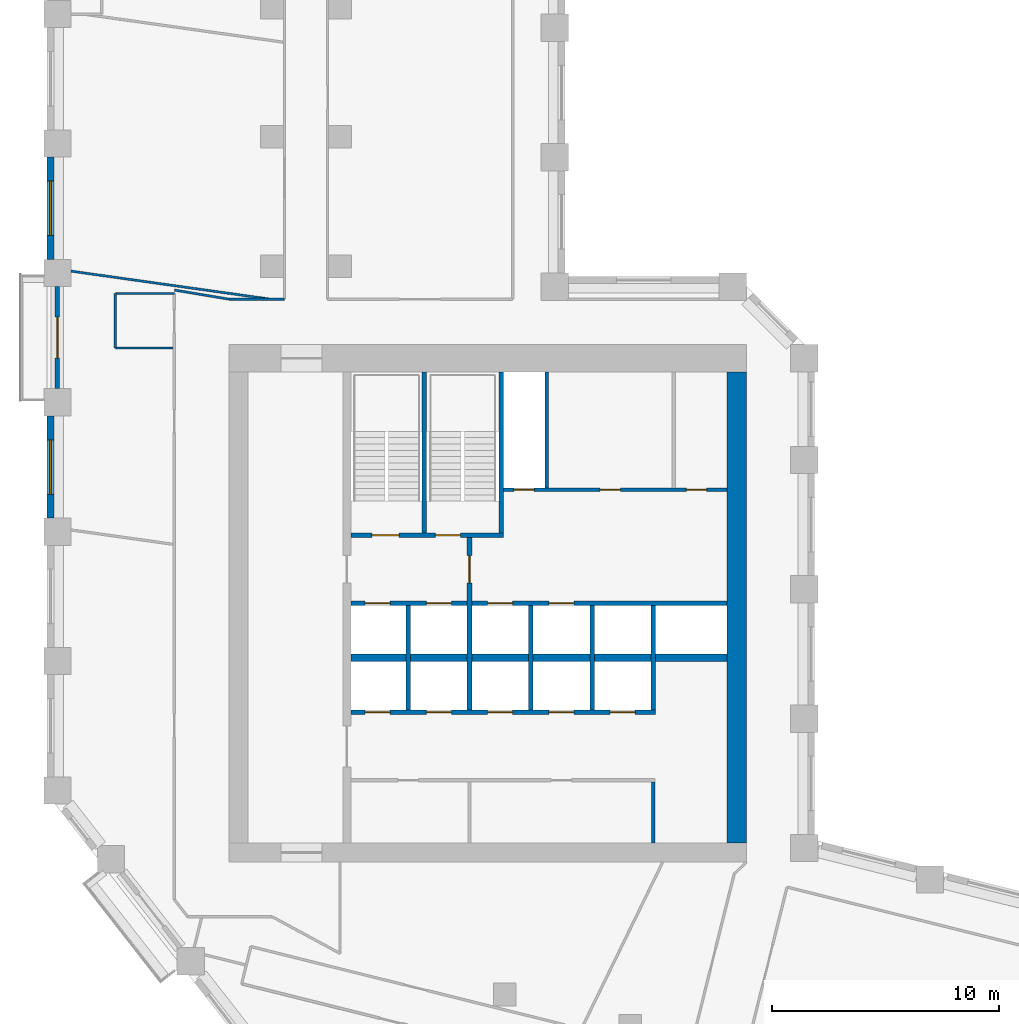
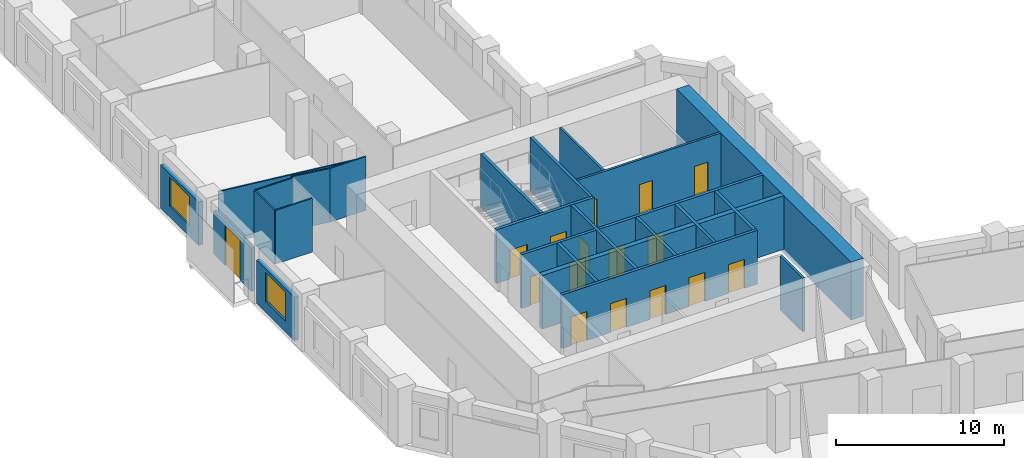
# One storey, part 5 of 10: 24 walls, 16 doors, 2 windows, 18 openings.
"""IFC4 building model written with IfcOpenShell, lengths in metres."""

from ifc_helpers import new_model, si_unit, direction, frame, frame_2d, origin, place, context, subcontext, project, spatial, rectangle, extrude, material, layer, layer_set, type_object, element, fill, save


model = new_model("IFC4")

# Units and contexts
model_context = context("Model", 3, precision=1e-05, world=origin(), true_north=direction((0.0, 1.0)))
body_context = subcontext(model_context, "Body", "Model", "MODEL_VIEW")
ifc_project = project(units=[si_unit("LENGTHUNIT", "METRE"), si_unit("AREAUNIT", "SQUARE_METRE"), si_unit("VOLUMEUNIT", "CUBIC_METRE"), si_unit("PLANEANGLEUNIT", "RADIAN"), si_unit("MASSUNIT", "GRAM", prefix="KILO")], contexts=[model_context])

# Site, building, storey
site_placement = place(None, origin())
site = spatial("IfcSite", under=ifc_project, at=site_placement, CompositionType="ELEMENT")
building_placement = place(site_placement, origin())
building = spatial("IfcBuilding", under=site, at=building_placement, Name="Meshkara Civic Tower", CompositionType="ELEMENT")
storey_placement = place(building_placement, frame((0.0, 0.0, 190.800048828125)))
storey = spatial("IfcBuildingStorey", under=building, at=storey_placement, Name="L43", CompositionType="ELEMENT", Elevation=190.800048828125)

# Wall, openings, doors
ifc_material_1 = material(Name="Blockwork", Category="masonry")
ifc_layer_1 = layer(ifc_material_1, 0.14990234375)
ifc_layer_set_1 = layer_set([ifc_layer_1], Name="Core partition 150")
wall_type_1 = type_object("IfcWallType", Name="Core partition 150", PredefinedType="PARTITIONING", material=ifc_layer_set_1)
wall_1_placement = place(storey_placement, frame((20.10009765625, 30.5, 0.0), z_axis=(0.0, 0.0, 1.0), x_axis=(1.0, 0.0, 0.0)))
wall_1 = element("IfcWall", 1, at=wall_1_placement, inside=storey, type_object=wall_type_1, Name="L43-C010", PredefinedType="PARTITIONING", context=body_context, shape_type="SweptSolid", body=[
    extrude(rectangle(XDim=9.849853515625, YDim=0.14990234375, at=frame_2d((4.9248046875, 0.0))), origin(), (0.0, 0.0, 1.0), 3.89990234375),
])
opening_1_placement = place(wall_1_placement, frame((0.449951171875, 0.0, 0.0)))
opening_1 = element("IfcOpeningElement", 2, at=opening_1_placement, cuts=wall_1, Name="Opening L43-K012", PredefinedType="OPENING", context=body_context, shape_type="SweptSolid", body=[
    extrude(rectangle(XDim=0.89990234375, YDim=2.10009765625, at=frame_2d((0.449951171875, 1.050048828125))), frame((0.0, 0.0849609375, 0.0), z_axis=(0.0, -1.0, 0.0), x_axis=(1.0, 0.0, 0.0)), (0.0, 0.0, 1.0), 0.169921875),
])
opening_2_placement = place(wall_1_placement, frame((4.25, 0.0, 0.0)))
opening_2 = element("IfcOpeningElement", 3, at=opening_2_placement, cuts=wall_1, Name="Opening L43-K013", PredefinedType="OPENING", context=body_context, shape_type="SweptSolid", body=[
    extrude(rectangle(XDim=0.89990234375, YDim=2.10009765625, at=frame_2d((0.449951171875, 1.050048828125))), frame((0.0, 0.0849609375, 0.0), z_axis=(0.0, -1.0, 0.0), x_axis=(1.0, 0.0, 0.0)), (0.0, 0.0, 1.0), 0.169921875),
])
opening_3_placement = place(wall_1_placement, frame((8.050048828125, 0.0, 0.0)))
opening_3 = element("IfcOpeningElement", 4, at=opening_3_placement, cuts=wall_1, Name="Opening L43-K014", PredefinedType="OPENING", context=body_context, shape_type="SweptSolid", body=[
    extrude(rectangle(XDim=0.89990234375, YDim=2.10009765625, at=frame_2d((0.449951171875, 1.050048828125))), frame((0.0, 0.0849609375, 0.0), z_axis=(0.0, -1.0, 0.0), x_axis=(1.0, 0.0, 0.0)), (0.0, 0.0, 1.0), 0.169921875),
])
ifc_material_2 = material(Name="Timber door leaf in steel frame", Category="steel")
door_type_1 = type_object("IfcDoorType", Name="Core room door 900", OperationType="SINGLE_SWING_LEFT", PredefinedType="DOOR", material=ifc_material_2)
door_1_placement = place(opening_2_placement, origin())
door_1 = element("IfcDoor", 5, at=door_1_placement, inside=storey, type_object=door_type_1, Name="L43-K013", OperationType="SINGLE_SWING_RIGHT", OverallHeight=2.10009765625, OverallWidth=0.89990234375, PredefinedType="DOOR", context=body_context, shape_type="SweptSolid", body=[
    extrude(rectangle(XDim=0.89990234375, YDim=2.10009765625, at=frame_2d((0.449951171875, 1.050048828125))), frame((0.0, 0.02490234375, 0.0), z_axis=(0.0, -1.0, 0.0), x_axis=(1.0, 0.0, 0.0)), (0.0, 0.0, 1.0), 0.050048828125),
])
fill(opening_2, door_1)
door_2_placement = place(opening_3_placement, origin())
door_2 = element("IfcDoor", 6, at=door_2_placement, inside=storey, type_object=door_type_1, Name="L43-K014", OperationType="SINGLE_SWING_RIGHT", OverallHeight=2.10009765625, OverallWidth=0.89990234375, PredefinedType="DOOR", context=body_context, shape_type="SweptSolid", body=[
    extrude(rectangle(XDim=0.89990234375, YDim=2.10009765625, at=frame_2d((0.449951171875, 1.050048828125))), frame((0.0, 0.02490234375, 0.0), z_axis=(0.0, -1.0, 0.0), x_axis=(1.0, 0.0, 0.0)), (0.0, 0.0, 1.0), 0.050048828125),
])
fill(opening_3, door_2)
ifc_material_3 = material(Name="Fire-rated door leaf in steel frame", Category="steel")
door_type_2 = type_object("IfcDoorType", Name="Riser door 900", OperationType="SINGLE_SWING_LEFT", PredefinedType="DOOR", material=ifc_material_3)
door_3_placement = place(opening_1_placement, origin())
door_3 = element("IfcDoor", 7, at=door_3_placement, inside=storey, type_object=door_type_2, Name="L43-K012", OperationType="SINGLE_SWING_RIGHT", OverallHeight=2.10009765625, OverallWidth=0.89990234375, PredefinedType="DOOR", context=body_context, shape_type="SweptSolid", body=[
    extrude(rectangle(XDim=0.89990234375, YDim=2.10009765625, at=frame_2d((0.449951171875, 1.050048828125))), frame((0.0, 0.02490234375, 0.0), z_axis=(0.0, -1.0, 0.0), x_axis=(1.0, 0.0, 0.0)), (0.0, 0.0, 1.0), 0.050048828125),
])
fill(opening_1, door_3)

# Walls
wall_2_placement = place(storey_placement, frame((22.0, 30.574951171875, 0.0), z_axis=(0.0, 0.0, 1.0), x_axis=(0.0, 1.0, 0.0)))
element("IfcWall", 8, at=wall_2_placement, inside=storey, type_object=wall_type_1, Name="L43-C018", PredefinedType="PARTITIONING", context=body_context, shape_type="SweptSolid", body=[
    extrude(rectangle(XDim=5.125, YDim=0.14990234375, at=frame_2d((2.5625, 0.0))), origin(), (0.0, 0.0, 1.0), 3.89990234375),
])
wall_3_placement = place(storey_placement, frame((26.699951171875, 14.949951171875, 0.0), z_axis=(0.0, 0.0, 1.0), x_axis=(0.0, 1.0, 0.0)))
element("IfcWall", 9, at=wall_3_placement, inside=storey, type_object=wall_type_1, Name="L43-C020", PredefinedType="PARTITIONING", context=body_context, shape_type="SweptSolid", body=[
    extrude(rectangle(XDim=2.675048828125, YDim=0.14990234375, at=frame_2d((1.33740234375, 0.0))), origin(), (0.0, 0.0, 1.0), 3.89990234375),
])
ifc_material_4 = material(Name="Concrete C70", Category="concrete")
ifc_layer_2 = layer(ifc_material_4, 0.85009765625)
ifc_layer_set_2 = layer_set([ifc_layer_2], Name="Core ring wall 850 C70")
wall_type_2 = type_object("IfcWallType", Name="Core ring wall 850 C70", PredefinedType="SHEAR", material=ifc_layer_set_2)
wall_4_placement = place(storey_placement, frame((30.375, 14.949951171875, -0.300048828125), z_axis=(0.0, 0.0, 1.0), x_axis=(0.0, 1.0, 0.0)))
element("IfcWall", 10, at=wall_4_placement, inside=storey, type_object=wall_type_2, Name="L43-C004", PredefinedType="SHEAR", context=body_context, shape_type="SweptSolid", body=[
    extrude(rectangle(XDim=20.75, YDim=0.85009765625, at=frame_2d((10.375, 0.0))), origin(), (0.0, 0.0, 1.0), 4.199951171875),
])
ifc_material_5 = material(Name="Concrete C70", Category="concrete")
ifc_layer_3 = layer(ifc_material_5, 0.340087890625)
ifc_layer_set_3 = layer_set([ifc_layer_3], Name="Core shear wall 340 C70")
wall_type_3 = type_object("IfcWallType", Name="Core shear wall 340 C70", PredefinedType="SHEAR", material=ifc_layer_set_3)
wall_5_placement = place(storey_placement, frame((13.3701171875, 23.10009765625, 0.0), z_axis=(0.0, 0.0, 1.0), x_axis=(1.0, 0.0, 0.0)))
element("IfcWall", 11, at=wall_5_placement, inside=storey, type_object=wall_type_3, Name="L43-C007", PredefinedType="SHEAR", context=body_context, shape_type="SweptSolid", body=[
    extrude(rectangle(XDim=16.579833984375, YDim=0.340087890625, at=frame_2d((8.2900390625, 0.0))), origin(), (0.0, 0.0, 1.0), 3.89990234375),
])
ifc_material_6 = material(Name="Corridor wall 100")
ifc_layer_4 = layer(ifc_material_6, 0.10009765625)
ifc_layer_set_4 = layer_set([ifc_layer_4], Name="Corridor wall 100")
wall_type_4 = type_object("IfcWallType", Name="Corridor wall 100", PredefinedType="PARTITIONING", material=ifc_layer_set_4)
wall_6_placement = place(storey_placement, frame((8.0, 38.89990234375, 0.0), z_axis=(0.0, 0.0, 1.0), x_axis=(1.0, 0.0, 0.0)))
element("IfcWall", 12, at=wall_6_placement, inside=storey, type_object=wall_type_4, Name="L43-W007", PredefinedType="PARTITIONING", context=body_context, shape_type="SweptSolid", body=[
    extrude(rectangle(XDim=2.449951171875, YDim=0.10009765625, at=frame_2d((1.22509765625, 0.0))), origin(), (0.0, 0.0, 1.0), 3.89990234375),
])
wall_7_placement = place(storey_placement, frame((8.0, 38.89990234375, 0.0), z_axis=(0.0, 0.0, 1.0), x_axis=(-0.986383073668, 0.16446407505, 0.0)))
element("IfcWall", 13, at=wall_7_placement, inside=storey, type_object=wall_type_4, Name="L43-W008", PredefinedType="PARTITIONING", context=body_context, shape_type="SweptSolid", body=[
    extrude(rectangle(XDim=2.43310546875, YDim=0.10009765625, at=frame_2d((1.216552734375, 0.0))), origin(), (0.0, 0.0, 1.0), 3.89990234375),
])

# Wall, opening, window
ifc_material_7 = material(Name="Insulated infill panel with bronze anodised aluminium cladding", Category="aluminium")
ifc_layer_5 = layer(ifc_material_7, 0.300048828125)
ifc_layer_set_5 = layer_set([ifc_layer_5], Name="EXTERNAL INFILL WALL 300")
wall_type_5 = type_object("IfcWallType", Name="EXTERNAL INFILL WALL 300", PredefinedType="SOLIDWALL", material=ifc_layer_set_5)
wall_8_placement = place(storey_placement, frame((0.14990234375, 45.155029296875, 0.0), z_axis=(0.0, 0.0, 1.0), x_axis=(0.0, -1.0, 0.0)))
wall_8 = element("IfcWall", 14, at=wall_8_placement, inside=storey, type_object=wall_type_5, Name="External wall", PredefinedType="SOLIDWALL", context=body_context, shape_type="SweptSolid", body=[
    extrude(rectangle(XDim=4.5, YDim=0.300048828125, at=frame_2d((2.25, 0.0))), origin(), (0.0, 0.0, 1.0), 3.14990234375),
])
opening_4_placement = place(wall_8_placement, frame((1.050048828125, 0.0, 0.800048828125)))
opening_4 = element("IfcOpeningElement", 15, at=opening_4_placement, cuts=wall_8, Name="Opening W7", PredefinedType="OPENING", context=body_context, shape_type="SweptSolid", body=[
    extrude(rectangle(XDim=2.39990234375, YDim=2.10009765625, at=frame_2d((1.199951171875, 1.050048828125))), frame((0.0, 0.159912109375, 0.0), z_axis=(0.0, -1.0, 0.0), x_axis=(1.0, 0.0, 0.0)), (0.0, 0.0, 1.0), 0.320068359375),
])
ifc_material_8 = material(Name="Tinted double glazing", Category="glass")
window_type = type_object("IfcWindowType", Name="WINDOW 2400x2100", PartitioningType="DOUBLE_PANEL_VERTICAL", PredefinedType="WINDOW", material=ifc_material_8)
window_1_placement = place(opening_4_placement, origin())
window_1 = element("IfcWindow", 16, at=window_1_placement, inside=storey, type_object=window_type, Name="Window", OverallHeight=2.10009765625, OverallWidth=2.39990234375, PartitioningType="DOUBLE_PANEL_VERTICAL", PredefinedType="WINDOW", context=body_context, shape_type="SweptSolid", body=[
    extrude(rectangle(XDim=2.39990234375, YDim=2.10009765625, at=frame_2d((1.199951171875, 1.050048828125))), frame((0.0, 0.030029296875, 0.0), z_axis=(0.0, -1.0, 0.0), x_axis=(1.0, 0.0, 0.0)), (0.0, 0.0, 1.0), 0.06005859375),
])
fill(opening_4, window_1)

wall_9_placement = place(storey_placement, frame((0.14990234375, 33.7548828125, 0.0), z_axis=(0.0, 0.0, 1.0), x_axis=(0.0, -1.0, 0.0)))
wall_9 = element("IfcWall", 17, at=wall_9_placement, inside=storey, type_object=wall_type_5, Name="External wall", PredefinedType="SOLIDWALL", context=body_context, shape_type="SweptSolid", body=[
    extrude(rectangle(XDim=4.5, YDim=0.300048828125, at=frame_2d((2.25, 0.0))), origin(), (0.0, 0.0, 1.0), 3.14990234375),
])
opening_5_placement = place(wall_9_placement, frame((1.050048828125, 0.0, 0.800048828125)))
opening_5 = element("IfcOpeningElement", 18, at=opening_5_placement, cuts=wall_9, Name="Opening W7", PredefinedType="OPENING", context=body_context, shape_type="SweptSolid", body=[
    extrude(rectangle(XDim=2.39990234375, YDim=2.10009765625, at=frame_2d((1.199951171875, 1.050048828125))), frame((0.0, 0.159912109375, 0.0), z_axis=(0.0, -1.0, 0.0), x_axis=(1.0, 0.0, 0.0)), (0.0, 0.0, 1.0), 0.320068359375),
])
window_2_placement = place(opening_5_placement, origin())
window_2 = element("IfcWindow", 19, at=window_2_placement, inside=storey, type_object=window_type, Name="Window", OverallHeight=2.10009765625, OverallWidth=2.39990234375, PartitioningType="DOUBLE_PANEL_VERTICAL", PredefinedType="WINDOW", context=body_context, shape_type="SweptSolid", body=[
    extrude(rectangle(XDim=2.39990234375, YDim=2.10009765625, at=frame_2d((1.199951171875, 1.050048828125))), frame((0.0, 0.030029296875, 0.0), z_axis=(0.0, -1.0, 0.0), x_axis=(1.0, 0.0, 0.0)), (0.0, 0.0, 1.0), 0.06005859375),
])
fill(opening_5, window_2)

# Wall, opening, door
ifc_material_9 = material(Name="Insulated infill panel with bronze anodised aluminium cladding", Category="aluminium")
ifc_layer_6 = layer(ifc_material_9, 0.199951171875)
ifc_layer_set_6 = layer_set([ifc_layer_6], Name="LOGGIA BACK WALL 200")
wall_type_6 = type_object("IfcWallType", Name="LOGGIA BACK WALL 200", PredefinedType="SOLIDWALL", material=ifc_layer_set_6)
wall_10_placement = place(storey_placement, frame((0.449951171875, 39.4541015625, 0.0), z_axis=(0.0, 0.0, 1.0), x_axis=(0.0, -1.0, 0.0)))
wall_10 = element("IfcWall", 20, at=wall_10_placement, inside=storey, type_object=wall_type_6, Name="Loggia wall", PredefinedType="SOLIDWALL", context=body_context, shape_type="SweptSolid", body=[
    extrude(rectangle(XDim=4.498046875, YDim=0.199951171875, at=frame_2d((2.2490234375, 0.0))), origin(), (0.0, 0.0, 1.0), 3.14990234375),
])
opening_6_placement = place(wall_10_placement, frame((1.35009765625, 0.0, 0.0)))
opening_6 = element("IfcOpeningElement", 21, at=opening_6_placement, cuts=wall_10, Name="Opening L43-L001", PredefinedType="OPENING", context=body_context, shape_type="SweptSolid", body=[
    extrude(rectangle(XDim=1.800048828125, YDim=2.89990234375, at=frame_2d((0.89990234375, 1.449951171875))), frame((0.0, 0.10986328125, 0.0), z_axis=(0.0, -1.0, 0.0), x_axis=(1.0, 0.0, 0.0)), (0.0, 0.0, 1.0), 0.219970703125),
])
ifc_material_10 = material(Name="Tinted double glazing", Category="glass")
door_type_3 = type_object("IfcDoorType", Name="LOGGIA DOOR 1800x2900", OperationType="DOUBLE_DOOR_SINGLE_SWING", PredefinedType="DOOR", material=ifc_material_10)
door_4_placement = place(opening_6_placement, origin())
door_4 = element("IfcDoor", 22, at=door_4_placement, inside=storey, type_object=door_type_3, Name="L43-L001", OperationType="DOUBLE_DOOR_SINGLE_SWING", OverallHeight=2.89990234375, OverallWidth=1.800048828125, PredefinedType="DOOR", context=body_context, shape_type="SweptSolid", body=[
    extrude(rectangle(XDim=1.800048828125, YDim=2.89990234375, at=frame_2d((0.89990234375, 1.449951171875))), frame((0.0, 0.02490234375, 0.0), z_axis=(0.0, -1.0, 0.0), x_axis=(1.0, 0.0, 0.0)), (0.0, 0.0, 1.0), 0.050048828125),
])
fill(opening_6, door_4)

# Walls
ifc_material_11 = material(Name="Partition 100")
ifc_layer_7 = layer(ifc_material_11, 0.10009765625)
ifc_layer_set_7 = layer_set([ifc_layer_7], Name="Partition 100")
wall_type_7 = type_object("IfcWallType", Name="Partition 100", PredefinedType="PARTITIONING", material=ifc_layer_set_7)
wall_11_placement = place(storey_placement, frame((3.0, 36.75, 0.0), z_axis=(0.0, 0.0, 1.0), x_axis=(0.0, 1.0, 0.0)))
element("IfcWall", 23, at=wall_11_placement, inside=storey, type_object=wall_type_7, Name="L43-W043", PredefinedType="PARTITIONING", context=body_context, shape_type="SweptSolid", body=[
    extrude(rectangle(XDim=2.39990234375, YDim=0.10009765625, at=frame_2d((1.199951171875, 0.0))), origin(), (0.0, 0.0, 1.0), 3.89990234375),
])
wall_12_placement = place(storey_placement, frame((3.0, 39.14990234375, 0.0), z_axis=(0.0, 0.0, 1.0), x_axis=(1.0, 0.0, 0.0)))
element("IfcWall", 24, at=wall_12_placement, inside=storey, type_object=wall_type_7, Name="L43-W044", PredefinedType="PARTITIONING", context=body_context, shape_type="SweptSolid", body=[
    extrude(rectangle(XDim=2.60009765625, YDim=0.10009765625, at=frame_2d((1.300048828125, 0.0))), origin(), (0.0, 0.0, 1.0), 3.89990234375),
])
wall_13_placement = place(storey_placement, frame((5.550048828125, 36.75, 0.0), z_axis=(0.0, 0.0, 1.0), x_axis=(-1.0, 0.0, 0.0)))
element("IfcWall", 25, at=wall_13_placement, inside=storey, type_object=wall_type_7, Name="L43-W046", PredefinedType="PARTITIONING", context=body_context, shape_type="SweptSolid", body=[
    extrude(rectangle(XDim=2.550048828125, YDim=0.10009765625, at=frame_2d((1.27490234375, 0.0))), origin(), (0.0, 0.0, 1.0), 3.89990234375),
])
wall_14_placement = place(storey_placement, frame((9.820068359375, 38.89990234375, 0.0), z_axis=(0.0, 0.0, 1.0), x_axis=(-0.99025859824, 0.139240470456, 0.0)))
element("IfcWall", 26, at=wall_14_placement, inside=storey, type_object=wall_type_7, Name="L43-W049", PredefinedType="PARTITIONING", context=body_context, shape_type="SweptSolid", body=[
    extrude(rectangle(XDim=8.856201171875, YDim=0.10009765625, at=frame_2d((4.42822265625, 0.0))), origin(), (0.0, 0.0, 1.0), 3.89990234375),
])

# Wall, openings, doors
ifc_material_12 = material(Name="Concrete C40/50", Category="concrete")
ifc_layer_8 = layer(ifc_material_12, 0.199951171875)
ifc_layer_set_8 = layer_set([ifc_layer_8], Name="Shaft wall 200 C40/50")
wall_type_8 = type_object("IfcWallType", Name="Shaft wall 200 C40/50", PredefinedType="SOLIDWALL", material=ifc_layer_set_8)
wall_15_placement = place(storey_placement, frame((13.3701171875, 20.699951171875, 0.0), z_axis=(0.0, 0.0, 1.0), x_axis=(1.0, 0.0, 0.0)))
wall_15 = element("IfcWall", 27, at=wall_15_placement, inside=storey, type_object=wall_type_8, Name="L43-C006", PredefinedType="SOLIDWALL", context=body_context, shape_type="SweptSolid", body=[
    extrude(rectangle(XDim=13.429931640625, YDim=0.199951171875, at=frame_2d((6.71484375, 0.0))), origin(), (0.0, 0.0, 1.0), 3.89990234375),
])
opening_7_placement = place(wall_15_placement, frame((0.6298828125, 0.0, 0.0)))
opening_7 = element("IfcOpeningElement", 28, at=opening_7_placement, cuts=wall_15, Name="Opening L43-K001", PredefinedType="OPENING", context=body_context, shape_type="SweptSolid", body=[
    extrude(rectangle(XDim=1.10009765625, YDim=2.10009765625, at=frame_2d((0.550048828125, 1.050048828125))), frame((0.0, 0.10986328125, 0.0), z_axis=(0.0, -1.0, 0.0), x_axis=(1.0, 0.0, 0.0)), (0.0, 0.0, 1.0), 0.219970703125),
])
opening_8_placement = place(wall_15_placement, frame((3.330078125, 0.0, 0.0)))
opening_8 = element("IfcOpeningElement", 29, at=opening_8_placement, cuts=wall_15, Name="Opening L43-K002", PredefinedType="OPENING", context=body_context, shape_type="SweptSolid", body=[
    extrude(rectangle(XDim=1.10009765625, YDim=2.10009765625, at=frame_2d((0.550048828125, 1.050048828125))), frame((0.0, 0.10986328125, 0.0), z_axis=(0.0, -1.0, 0.0), x_axis=(1.0, 0.0, 0.0)), (0.0, 0.0, 1.0), 0.219970703125),
])
opening_9_placement = place(wall_15_placement, frame((6.030029296875, 0.0, 0.0)))
opening_9 = element("IfcOpeningElement", 30, at=opening_9_placement, cuts=wall_15, Name="Opening L43-K003", PredefinedType="OPENING", context=body_context, shape_type="SweptSolid", body=[
    extrude(rectangle(XDim=1.10009765625, YDim=2.10009765625, at=frame_2d((0.550048828125, 1.050048828125))), frame((0.0, 0.10986328125, 0.0), z_axis=(0.0, -1.0, 0.0), x_axis=(1.0, 0.0, 0.0)), (0.0, 0.0, 1.0), 0.219970703125),
])
opening_10_placement = place(wall_15_placement, frame((8.72998046875, 0.0, 0.0)))
opening_10 = element("IfcOpeningElement", 31, at=opening_10_placement, cuts=wall_15, Name="Opening L43-K004", PredefinedType="OPENING", context=body_context, shape_type="SweptSolid", body=[
    extrude(rectangle(XDim=1.10009765625, YDim=2.10009765625, at=frame_2d((0.550048828125, 1.050048828125))), frame((0.0, 0.10986328125, 0.0), z_axis=(0.0, -1.0, 0.0), x_axis=(1.0, 0.0, 0.0)), (0.0, 0.0, 1.0), 0.219970703125),
])
opening_11_placement = place(wall_15_placement, frame((11.429931640625, 0.0, 0.0)))
opening_11 = element("IfcOpeningElement", 32, at=opening_11_placement, cuts=wall_15, Name="Opening L43-K005", PredefinedType="OPENING", context=body_context, shape_type="SweptSolid", body=[
    extrude(rectangle(XDim=1.10009765625, YDim=2.10009765625, at=frame_2d((0.550048828125, 1.050048828125))), frame((0.0, 0.10986328125, 0.0), z_axis=(0.0, -1.0, 0.0), x_axis=(1.0, 0.0, 0.0)), (0.0, 0.0, 1.0), 0.219970703125),
])
ifc_material_13 = material(Name="Stainless steel landing door", Category="steel")
door_type_4 = type_object("IfcDoorType", Name="Lift landing door 1100", OperationType="SLIDING_TO_LEFT", PredefinedType="DOOR", material=ifc_material_13)
door_5_placement = place(opening_7_placement, origin())
door_5 = element("IfcDoor", 33, at=door_5_placement, inside=storey, type_object=door_type_4, Name="L43-K001", OperationType="SLIDING_TO_LEFT", OverallHeight=2.10009765625, OverallWidth=1.10009765625, PredefinedType="DOOR", context=body_context, shape_type="SweptSolid", body=[
    extrude(rectangle(XDim=1.10009765625, YDim=2.10009765625, at=frame_2d((0.550048828125, 1.050048828125))), frame((0.0, 0.02490234375, 0.0), z_axis=(0.0, -1.0, 0.0), x_axis=(1.0, 0.0, 0.0)), (0.0, 0.0, 1.0), 0.050048828125),
])
fill(opening_7, door_5)
door_6_placement = place(opening_8_placement, origin())
door_6 = element("IfcDoor", 34, at=door_6_placement, inside=storey, type_object=door_type_4, Name="L43-K002", OperationType="SLIDING_TO_LEFT", OverallHeight=2.10009765625, OverallWidth=1.10009765625, PredefinedType="DOOR", context=body_context, shape_type="SweptSolid", body=[
    extrude(rectangle(XDim=1.10009765625, YDim=2.10009765625, at=frame_2d((0.550048828125, 1.050048828125))), frame((0.0, 0.02490234375, 0.0), z_axis=(0.0, -1.0, 0.0), x_axis=(1.0, 0.0, 0.0)), (0.0, 0.0, 1.0), 0.050048828125),
])
fill(opening_8, door_6)
door_7_placement = place(opening_9_placement, origin())
door_7 = element("IfcDoor", 35, at=door_7_placement, inside=storey, type_object=door_type_4, Name="L43-K003", OperationType="SLIDING_TO_LEFT", OverallHeight=2.10009765625, OverallWidth=1.10009765625, PredefinedType="DOOR", context=body_context, shape_type="SweptSolid", body=[
    extrude(rectangle(XDim=1.10009765625, YDim=2.10009765625, at=frame_2d((0.550048828125, 1.050048828125))), frame((0.0, 0.02490234375, 0.0), z_axis=(0.0, -1.0, 0.0), x_axis=(1.0, 0.0, 0.0)), (0.0, 0.0, 1.0), 0.050048828125),
])
fill(opening_9, door_7)
door_8_placement = place(opening_10_placement, origin())
door_8 = element("IfcDoor", 36, at=door_8_placement, inside=storey, type_object=door_type_4, Name="L43-K004", OperationType="SLIDING_TO_LEFT", OverallHeight=2.10009765625, OverallWidth=1.10009765625, PredefinedType="DOOR", context=body_context, shape_type="SweptSolid", body=[
    extrude(rectangle(XDim=1.10009765625, YDim=2.10009765625, at=frame_2d((0.550048828125, 1.050048828125))), frame((0.0, 0.02490234375, 0.0), z_axis=(0.0, -1.0, 0.0), x_axis=(1.0, 0.0, 0.0)), (0.0, 0.0, 1.0), 0.050048828125),
])
fill(opening_10, door_8)
door_9_placement = place(opening_11_placement, origin())
door_9 = element("IfcDoor", 37, at=door_9_placement, inside=storey, type_object=door_type_4, Name="L43-K005", OperationType="SLIDING_TO_LEFT", OverallHeight=2.10009765625, OverallWidth=1.10009765625, PredefinedType="DOOR", context=body_context, shape_type="SweptSolid", body=[
    extrude(rectangle(XDim=1.10009765625, YDim=2.10009765625, at=frame_2d((0.550048828125, 1.050048828125))), frame((0.0, 0.02490234375, 0.0), z_axis=(0.0, -1.0, 0.0), x_axis=(1.0, 0.0, 0.0)), (0.0, 0.0, 1.0), 0.050048828125),
])
fill(opening_11, door_9)

wall_16_placement = place(storey_placement, frame((13.3701171875, 25.5, 0.0), z_axis=(0.0, 0.0, 1.0), x_axis=(1.0, 0.0, 0.0)))
wall_16 = element("IfcWall", 38, at=wall_16_placement, inside=storey, type_object=wall_type_8, Name="L43-C008", PredefinedType="SOLIDWALL", context=body_context, shape_type="SweptSolid", body=[
    extrude(rectangle(XDim=16.579833984375, YDim=0.199951171875, at=frame_2d((8.2900390625, 0.0))), origin(), (0.0, 0.0, 1.0), 3.89990234375),
])
opening_12_placement = place(wall_16_placement, frame((0.6298828125, 0.0, 0.0)))
opening_12 = element("IfcOpeningElement", 39, at=opening_12_placement, cuts=wall_16, Name="Opening L43-K006", PredefinedType="OPENING", context=body_context, shape_type="SweptSolid", body=[
    extrude(rectangle(XDim=1.10009765625, YDim=2.10009765625, at=frame_2d((0.550048828125, 1.050048828125))), frame((0.0, 0.10986328125, 0.0), z_axis=(0.0, -1.0, 0.0), x_axis=(1.0, 0.0, 0.0)), (0.0, 0.0, 1.0), 0.219970703125),
])
opening_13_placement = place(wall_16_placement, frame((3.330078125, 0.0, 0.0)))
opening_13 = element("IfcOpeningElement", 40, at=opening_13_placement, cuts=wall_16, Name="Opening L43-K007", PredefinedType="OPENING", context=body_context, shape_type="SweptSolid", body=[
    extrude(rectangle(XDim=1.10009765625, YDim=2.10009765625, at=frame_2d((0.550048828125, 1.050048828125))), frame((0.0, 0.10986328125, 0.0), z_axis=(0.0, -1.0, 0.0), x_axis=(1.0, 0.0, 0.0)), (0.0, 0.0, 1.0), 0.219970703125),
])
opening_14_placement = place(wall_16_placement, frame((6.030029296875, 0.0, 0.0)))
opening_14 = element("IfcOpeningElement", 41, at=opening_14_placement, cuts=wall_16, Name="Opening L43-K008", PredefinedType="OPENING", context=body_context, shape_type="SweptSolid", body=[
    extrude(rectangle(XDim=1.10009765625, YDim=2.10009765625, at=frame_2d((0.550048828125, 1.050048828125))), frame((0.0, 0.10986328125, 0.0), z_axis=(0.0, -1.0, 0.0), x_axis=(1.0, 0.0, 0.0)), (0.0, 0.0, 1.0), 0.219970703125),
])
opening_15_placement = place(wall_16_placement, frame((8.72998046875, 0.0, 0.0)))
opening_15 = element("IfcOpeningElement", 42, at=opening_15_placement, cuts=wall_16, Name="Opening L43-K009", PredefinedType="OPENING", context=body_context, shape_type="SweptSolid", body=[
    extrude(rectangle(XDim=1.10009765625, YDim=2.10009765625, at=frame_2d((0.550048828125, 1.050048828125))), frame((0.0, 0.10986328125, 0.0), z_axis=(0.0, -1.0, 0.0), x_axis=(1.0, 0.0, 0.0)), (0.0, 0.0, 1.0), 0.219970703125),
])
door_10_placement = place(opening_12_placement, origin())
door_10 = element("IfcDoor", 43, at=door_10_placement, inside=storey, type_object=door_type_4, Name="L43-K006", OperationType="SLIDING_TO_LEFT", OverallHeight=2.10009765625, OverallWidth=1.10009765625, PredefinedType="DOOR", context=body_context, shape_type="SweptSolid", body=[
    extrude(rectangle(XDim=1.10009765625, YDim=2.10009765625, at=frame_2d((0.550048828125, 1.050048828125))), frame((0.0, 0.02490234375, 0.0), z_axis=(0.0, -1.0, 0.0), x_axis=(1.0, 0.0, 0.0)), (0.0, 0.0, 1.0), 0.050048828125),
])
fill(opening_12, door_10)
door_11_placement = place(opening_13_placement, origin())
door_11 = element("IfcDoor", 44, at=door_11_placement, inside=storey, type_object=door_type_4, Name="L43-K007", OperationType="SLIDING_TO_LEFT", OverallHeight=2.10009765625, OverallWidth=1.10009765625, PredefinedType="DOOR", context=body_context, shape_type="SweptSolid", body=[
    extrude(rectangle(XDim=1.10009765625, YDim=2.10009765625, at=frame_2d((0.550048828125, 1.050048828125))), frame((0.0, 0.02490234375, 0.0), z_axis=(0.0, -1.0, 0.0), x_axis=(1.0, 0.0, 0.0)), (0.0, 0.0, 1.0), 0.050048828125),
])
fill(opening_13, door_11)
door_12_placement = place(opening_14_placement, origin())
door_12 = element("IfcDoor", 45, at=door_12_placement, inside=storey, type_object=door_type_4, Name="L43-K008", OperationType="SLIDING_TO_LEFT", OverallHeight=2.10009765625, OverallWidth=1.10009765625, PredefinedType="DOOR", context=body_context, shape_type="SweptSolid", body=[
    extrude(rectangle(XDim=1.10009765625, YDim=2.10009765625, at=frame_2d((0.550048828125, 1.050048828125))), frame((0.0, 0.02490234375, 0.0), z_axis=(0.0, -1.0, 0.0), x_axis=(1.0, 0.0, 0.0)), (0.0, 0.0, 1.0), 0.050048828125),
])
fill(opening_14, door_12)
door_13_placement = place(opening_15_placement, origin())
door_13 = element("IfcDoor", 46, at=door_13_placement, inside=storey, type_object=door_type_4, Name="L43-K009", OperationType="SLIDING_TO_LEFT", OverallHeight=2.10009765625, OverallWidth=1.10009765625, PredefinedType="DOOR", context=body_context, shape_type="SweptSolid", body=[
    extrude(rectangle(XDim=1.10009765625, YDim=2.10009765625, at=frame_2d((0.550048828125, 1.050048828125))), frame((0.0, 0.02490234375, 0.0), z_axis=(0.0, -1.0, 0.0), x_axis=(1.0, 0.0, 0.0)), (0.0, 0.0, 1.0), 0.050048828125),
])
fill(opening_15, door_13)

# Wall
wall_17_placement = place(storey_placement, frame((15.89990234375, 20.800048828125, 0.0), z_axis=(0.0, 0.0, 1.0), x_axis=(0.0, 1.0, 0.0)))
element("IfcWall", 47, at=wall_17_placement, inside=storey, type_object=wall_type_8, Name="L43-C012", PredefinedType="SOLIDWALL", context=body_context, shape_type="SweptSolid", body=[
    extrude(rectangle(XDim=4.599853515625, YDim=0.199951171875, at=frame_2d((2.2998046875, 0.0))), origin(), (0.0, 0.0, 1.0), 3.89990234375),
])

# Wall, opening, door
wall_18_placement = place(storey_placement, frame((18.60009765625, 20.800048828125, 0.0), z_axis=(0.0, 0.0, 1.0), x_axis=(0.0, 1.0, 0.0)))
wall_18 = element("IfcWall", 48, at=wall_18_placement, inside=storey, type_object=wall_type_8, Name="L43-C015", PredefinedType="SOLIDWALL", context=body_context, shape_type="SweptSolid", body=[
    extrude(rectangle(XDim=7.599853515625, YDim=0.199951171875, at=frame_2d((3.7998046875, 0.0))), origin(), (0.0, 0.0, 1.0), 3.89990234375),
])
opening_16_placement = place(wall_18_placement, frame((5.60009765625, 0.0, 0.0)))
opening_16 = element("IfcOpeningElement", 49, at=opening_16_placement, cuts=wall_18, Name="Opening L43-K019", PredefinedType="OPENING", context=body_context, shape_type="SweptSolid", body=[
    extrude(rectangle(XDim=1.199951171875, YDim=2.10009765625, at=frame_2d((0.60009765625, 1.050048828125))), frame((0.0, 0.10986328125, 0.0), z_axis=(0.0, -1.0, 0.0), x_axis=(1.0, 0.0, 0.0)), (0.0, 0.0, 1.0), 0.219970703125),
])
ifc_material_14 = material(Name="Fire-rated door leaf in steel frame", Category="steel")
door_type_5 = type_object("IfcDoorType", Name="Fire-fighting lobby door 1200 EI 120", OperationType="SINGLE_SWING_LEFT", PredefinedType="DOOR", material=ifc_material_14)
door_14_placement = place(opening_16_placement, origin())
door_14 = element("IfcDoor", 50, at=door_14_placement, inside=storey, type_object=door_type_5, Name="L43-K019", OperationType="SINGLE_SWING_RIGHT", OverallHeight=2.10009765625, OverallWidth=1.199951171875, PredefinedType="DOOR", context=body_context, shape_type="SweptSolid", body=[
    extrude(rectangle(XDim=1.199951171875, YDim=2.10009765625, at=frame_2d((0.60009765625, 1.050048828125))), frame((0.0, 0.02490234375, 0.0), z_axis=(0.0, -1.0, 0.0), x_axis=(1.0, 0.0, 0.0)), (0.0, 0.0, 1.0), 0.050048828125),
])
fill(opening_16, door_14)

# Walls
for number, where, z_axis, x_axis, name in (
    (51, (21.300048828125, 20.800048828125, 0.0), (0.0, 0.0, 1.0), (0.0, 1.0, 0.0), "L43-C017"),
    (52, (24.0, 20.800048828125, 0.0), (0.0, 0.0, 1.0), (0.0, 1.0, 0.0), "L43-C019"),
    (53, (26.699951171875, 20.800048828125, 0.0), (0.0, 0.0, 1.0), (0.0, 1.0, 0.0), "L43-C021"),
):
    element("IfcWall", number, at=place(storey_placement, frame(where, z_axis=z_axis, x_axis=x_axis)), inside=storey, type_object=wall_type_8, Name=name, PredefinedType="SOLIDWALL", context=body_context, shape_type="SweptSolid", body=[
        extrude(rectangle(XDim=4.599853515625, YDim=0.199951171875, at=frame_2d((2.2998046875, 0.0))), origin(), (0.0, 0.0, 1.0), 3.89990234375),
    ])

# Wall, openings, doors
ifc_material_15 = material(Name="Concrete C40/50", Category="concrete")
ifc_layer_9 = layer(ifc_material_15, 0.199951171875)
ifc_layer_set_9 = layer_set([ifc_layer_9], Name="Stair enclosure wall 200 C40/50")
wall_type_9 = type_object("IfcWallType", Name="Stair enclosure wall 200 C40/50", PredefinedType="SOLIDWALL", material=ifc_layer_set_9)
wall_19_placement = place(storey_placement, frame((13.3701171875, 28.5, 0.0), z_axis=(0.0, 0.0, 1.0), x_axis=(1.0, 0.0, 0.0)))
wall_19 = element("IfcWall", 54, at=wall_19_placement, inside=storey, type_object=wall_type_9, Name="L43-C009", PredefinedType="SOLIDWALL", context=body_context, shape_type="SweptSolid", body=[
    extrude(rectangle(XDim=6.72998046875, YDim=0.199951171875, at=frame_2d((3.364990234375, 0.0))), origin(), (0.0, 0.0, 1.0), 3.89990234375),
])
opening_17_placement = place(wall_19_placement, frame((0.929931640625, 0.0, 0.0)))
opening_17 = element("IfcOpeningElement", 55, at=opening_17_placement, cuts=wall_19, Name="Opening L43-K015", PredefinedType="OPENING", context=body_context, shape_type="SweptSolid", body=[
    extrude(rectangle(XDim=1.199951171875, YDim=2.10009765625, at=frame_2d((0.60009765625, 1.050048828125))), frame((0.0, 0.10986328125, 0.0), z_axis=(0.0, -1.0, 0.0), x_axis=(1.0, 0.0, 0.0)), (0.0, 0.0, 1.0), 0.219970703125),
])
opening_18_placement = place(wall_19_placement, frame((3.72998046875, 0.0, 0.0)))
opening_18 = element("IfcOpeningElement", 56, at=opening_18_placement, cuts=wall_19, Name="Opening L43-K016", PredefinedType="OPENING", context=body_context, shape_type="SweptSolid", body=[
    extrude(rectangle(XDim=1.10009765625, YDim=2.10009765625, at=frame_2d((0.550048828125, 1.050048828125))), frame((0.0, 0.10986328125, 0.0), z_axis=(0.0, -1.0, 0.0), x_axis=(1.0, 0.0, 0.0)), (0.0, 0.0, 1.0), 0.219970703125),
])
ifc_material_16 = material(Name="Fire-rated door leaf in steel frame", Category="steel")
door_type_6 = type_object("IfcDoorType", Name="Stair door 1100 EI 120", OperationType="SINGLE_SWING_LEFT", PredefinedType="DOOR", material=ifc_material_16)
door_15_placement = place(opening_18_placement, origin())
door_15 = element("IfcDoor", 57, at=door_15_placement, inside=storey, type_object=door_type_6, Name="L43-K016", OperationType="SINGLE_SWING_LEFT", OverallHeight=2.10009765625, OverallWidth=1.10009765625, PredefinedType="DOOR", context=body_context, shape_type="SweptSolid", body=[
    extrude(rectangle(XDim=1.10009765625, YDim=2.10009765625, at=frame_2d((0.550048828125, 1.050048828125))), frame((0.0, 0.02490234375, 0.0), z_axis=(0.0, -1.0, 0.0), x_axis=(1.0, 0.0, 0.0)), (0.0, 0.0, 1.0), 0.050048828125),
])
fill(opening_18, door_15)
ifc_material_17 = material(Name="Fire-rated door leaf in steel frame", Category="steel")
door_type_7 = type_object("IfcDoorType", Name="Stair door 1200 EI 120", OperationType="SINGLE_SWING_LEFT", PredefinedType="DOOR", material=ifc_material_17)
door_16_placement = place(opening_17_placement, origin())
door_16 = element("IfcDoor", 58, at=door_16_placement, inside=storey, type_object=door_type_7, Name="L43-K015", OperationType="SINGLE_SWING_RIGHT", OverallHeight=2.10009765625, OverallWidth=1.199951171875, PredefinedType="DOOR", context=body_context, shape_type="SweptSolid", body=[
    extrude(rectangle(XDim=1.199951171875, YDim=2.10009765625, at=frame_2d((0.60009765625, 1.050048828125))), frame((0.0, 0.02490234375, 0.0), z_axis=(0.0, -1.0, 0.0), x_axis=(1.0, 0.0, 0.0)), (0.0, 0.0, 1.0), 0.050048828125),
])
fill(opening_17, door_16)

# Walls
for number, where, z_axis, x_axis, name in (
    (59, (16.60009765625, 28.60009765625, 0.0), (0.0, 0.0, 1.0), (0.0, 1.0, 0.0), "L43-C013"),
    (60, (20.0, 28.60009765625, 0.0), (0.0, 0.0, 1.0), (0.0, 1.0, 0.0), "L43-C016"),
):
    element("IfcWall", number, at=place(storey_placement, frame(where, z_axis=z_axis, x_axis=x_axis)), inside=storey, type_object=wall_type_9, Name=name, PredefinedType="SOLIDWALL", context=body_context, shape_type="SweptSolid", body=[
        extrude(rectangle(XDim=7.099853515625, YDim=0.199951171875, at=frame_2d((3.5498046875, 0.0))), origin(), (0.0, 0.0, 1.0), 3.89990234375),
    ])

save(model, "model.ifc")
